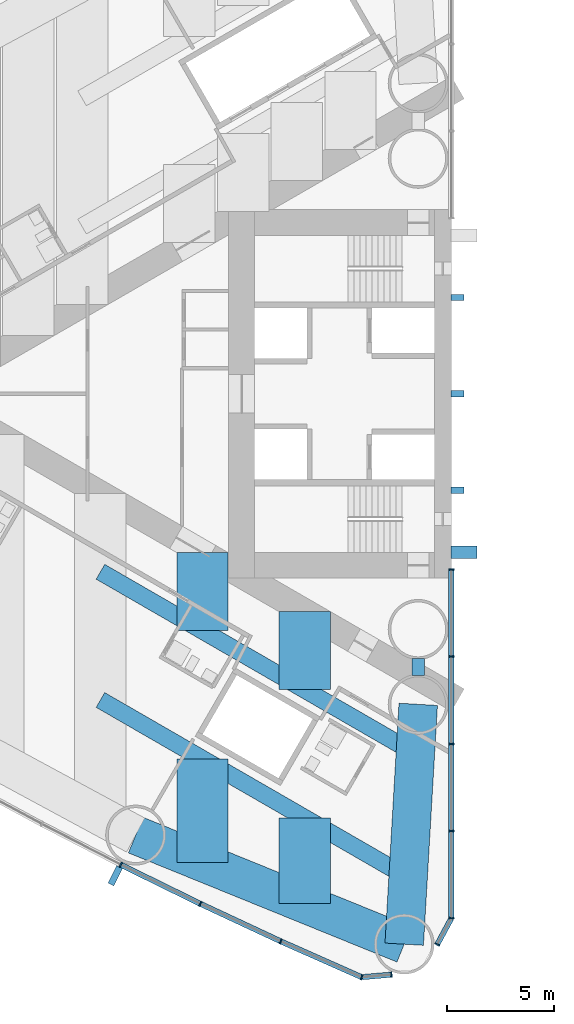
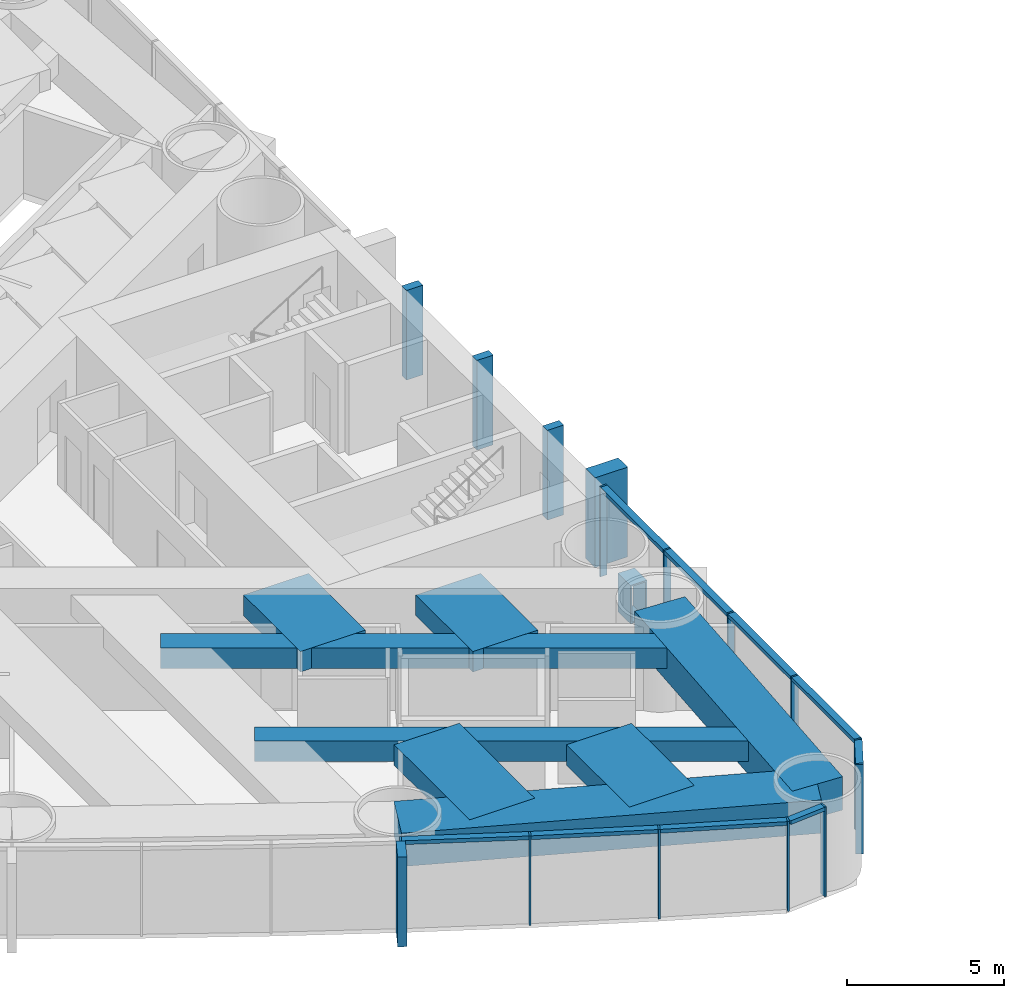
# One storey, part 3 of 19: 25 members, 9 beams, 2 elements without a shape of their own.
"""IFC4 building model written with IfcOpenShell, lengths in metres."""

from ifc_helpers import new_model, si_unit, direction, frame, origin, origin_2d, place, context, subcontext, project, spatial, rectangle, hollow_rectangle, extrude, material, material_profile, profile_set, type_object, element, aggregate, save


model = new_model("IFC4")

# Units and contexts
model_context = context("Model", 3, precision=1e-05, world=origin(), true_north=direction((0.0, 1.0)))
body_context = subcontext(model_context, "Body", "Model", "MODEL_VIEW")
ifc_project = project(units=[si_unit("LENGTHUNIT", "METRE"), si_unit("AREAUNIT", "SQUARE_METRE"), si_unit("VOLUMEUNIT", "CUBIC_METRE"), si_unit("PLANEANGLEUNIT", "RADIAN"), si_unit("MASSUNIT", "GRAM", prefix="KILO")], contexts=[model_context])

# Site, building, storey
site_placement = place(None, origin())
site = spatial("IfcSite", under=ifc_project, at=site_placement, CompositionType="ELEMENT")
building_placement = place(site_placement, origin())
building = spatial("IfcBuilding", under=site, at=building_placement, Name="Lancet Gate Hotel", CompositionType="ELEMENT")
storey_placement = place(building_placement, frame((0.0, 0.0, 25.0)))
storey = spatial("IfcBuildingStorey", under=building, at=storey_placement, Name="L05", CompositionType="ELEMENT", Elevation=25.0)

# Curtain wall, members
ifc_material_1 = material(Name="Aluminium curtain wall", Category="aluminium")
curtain_wall_type = type_object("IfcCurtainWallType", Name="Tower unitised curtain wall", PredefinedType="USERDEFINED", material=ifc_material_1)
curtain_wall_1_placement = place(storey_placement, origin())
curtain_wall_1 = element("IfcCurtainWall", 1, at=curtain_wall_1_placement, inside=storey, type_object=curtain_wall_type, Name="T1 L05 curtain wall 3", ObjectType="UNITISED CURTAIN WALL", PredefinedType="USERDEFINED")
ifc_material_2 = material(Name="Aluminium mullion", Category="aluminium")
ifc_material_profile_1 = material_profile(ifc_material_2, rectangle(XDim=0.06494140625, YDim=0.25, at=origin_2d()), Name="MULLION 65x250")
ifc_profile_set_1 = profile_set([ifc_material_profile_1], Name="Aluminium mullion")
member_type_1 = type_object("IfcMemberType", Name="Aluminium mullion 65x250", PredefinedType="MULLION", material=ifc_profile_set_1)
member_1_placement = place(storey_placement, frame((-42.94189453125, -21.991943359375, 0.0), z_axis=(0.0, 0.0, 1.0), x_axis=(0.893291549794, -0.449477704748, 0.0)))
member_1 = element("IfcMember", 2, at=member_1_placement, type_object=member_type_1, Name="T1 L05 curtain wall 3 mullion 11", PredefinedType="MULLION", context=body_context, shape_type="SweptSolid", body=[
    extrude(rectangle(XDim=0.06494140625, YDim=0.25, at=origin_2d()), origin(), (0.0, 0.0, 1.0), 3.5),
])
member_2_placement = place(storey_placement, frame((-39.225341796875, -23.816650390625, 0.0), z_axis=(0.0, 0.0, 1.0), x_axis=(0.901928838337, -0.431884672772, 0.0)))
member_2 = element("IfcMember", 3, at=member_2_placement, type_object=member_type_1, Name="T1 L05 curtain wall 3 mullion 12", PredefinedType="MULLION", context=body_context, shape_type="SweptSolid", body=[
    extrude(rectangle(XDim=0.06494140625, YDim=0.25, at=origin_2d()), origin(), (0.0, 0.0, 1.0), 3.5),
])
member_3_placement = place(storey_placement, frame((-35.473876953125, -25.568115234375, 0.0), z_axis=(0.0, 0.0, 1.0), x_axis=(0.910219680212, -0.414125746308, 0.0)))
member_3 = element("IfcMember", 4, at=member_3_placement, type_object=member_type_1, Name="T1 L05 curtain wall 3 mullion 13", PredefinedType="MULLION", context=body_context, shape_type="SweptSolid", body=[
    extrude(rectangle(XDim=0.06494140625, YDim=0.25, at=origin_2d()), origin(), (0.0, 0.0, 1.0), 3.5),
])
member_4_placement = place(storey_placement, frame((-31.688720703125, -27.24560546875, 0.0), z_axis=(0.0, 0.0, 1.0), x_axis=(0.957524354695, -0.288352406209, 0.0)))
member_4 = element("IfcMember", 5, at=member_4_placement, type_object=member_type_1, Name="T1 L05 curtain wall 3 mullion 14", PredefinedType="MULLION", context=body_context, shape_type="SweptSolid", body=[
    extrude(rectangle(XDim=0.06494140625, YDim=0.25, at=origin_2d()), origin(), (0.0, 0.0, 1.0), 3.5),
])
member_5_placement = place(storey_placement, frame((-30.3046875, -27.124755859375, 0.0), z_axis=(0.0, 0.0, 1.0), x_axis=(0.99620380374, 0.087051602022, 0.0)))
member_5 = element("IfcMember", 6, at=member_5_placement, type_object=member_type_1, Name="T1 L05 curtain wall 3 mullion 15", PredefinedType="MULLION", context=body_context, shape_type="SweptSolid", body=[
    extrude(rectangle(XDim=0.06494140625, YDim=0.25, at=origin_2d()), origin(), (0.0, 0.0, 1.0), 3.5),
])

curtain_wall_2_placement = place(storey_placement, origin())
curtain_wall_2 = element("IfcCurtainWall", 7, at=curtain_wall_2_placement, inside=storey, type_object=curtain_wall_type, Name="T1 L05 curtain wall 4", ObjectType="UNITISED CURTAIN WALL", PredefinedType="USERDEFINED")
member_6_placement = place(storey_placement, frame((-28.158935546875, -25.712890625, 0.0), z_axis=(0.0, 0.0, 1.0), x_axis=(0.474631040972, 0.880184852714, 0.0)))
member_6 = element("IfcMember", 8, at=member_6_placement, type_object=member_type_1, Name="T1 L05 curtain wall 4 mullion 1", PredefinedType="MULLION", context=body_context, shape_type="SweptSolid", body=[
    extrude(rectangle(XDim=0.06494140625, YDim=0.25, at=origin_2d()), origin(), (0.0, 0.0, 1.0), 3.5),
])
member_7_placement = place(storey_placement, frame((-27.5, -24.4912109375, 0.0), z_axis=(0.0, 0.0, 1.0), x_axis=(0.123482502544, 0.992346749662, 0.0)))
member_7 = element("IfcMember", 9, at=member_7_placement, type_object=member_type_1, Name="T1 L05 curtain wall 4 mullion 2", PredefinedType="MULLION", context=body_context, shape_type="SweptSolid", body=[
    extrude(rectangle(XDim=0.06494140625, YDim=0.25, at=origin_2d()), origin(), (0.0, 0.0, 1.0), 3.5),
])
member_8_placement = place(storey_placement, frame((-27.5, -20.41845703125, 0.0), z_axis=(0.0, 0.0, 1.0), x_axis=(0.0, 1.0, 0.0)))
member_8 = element("IfcMember", 10, at=member_8_placement, type_object=member_type_1, Name="T1 L05 curtain wall 4 mullion 3", PredefinedType="MULLION", context=body_context, shape_type="SweptSolid", body=[
    extrude(rectangle(XDim=0.06494140625, YDim=0.25, at=origin_2d()), origin(), (0.0, 0.0, 1.0), 3.5),
])
member_9_placement = place(storey_placement, frame((-27.5, -16.345703125, 0.0), z_axis=(0.0, 0.0, 1.0), x_axis=(0.0, 1.0, 0.0)))
member_9 = element("IfcMember", 11, at=member_9_placement, type_object=member_type_1, Name="T1 L05 curtain wall 4 mullion 4", PredefinedType="MULLION", context=body_context, shape_type="SweptSolid", body=[
    extrude(rectangle(XDim=0.06494140625, YDim=0.25, at=origin_2d()), origin(), (0.0, 0.0, 1.0), 3.5),
])
member_10_placement = place(storey_placement, frame((-27.5, -12.272705078125, 0.0), z_axis=(0.0, 0.0, 1.0), x_axis=(0.0, 1.0, 0.0)))
member_10 = element("IfcMember", 12, at=member_10_placement, type_object=member_type_1, Name="T1 L05 curtain wall 4 mullion 5", PredefinedType="MULLION", context=body_context, shape_type="SweptSolid", body=[
    extrude(rectangle(XDim=0.06494140625, YDim=0.25, at=origin_2d()), origin(), (0.0, 0.0, 1.0), 3.5),
])
member_11_placement = place(storey_placement, frame((-27.5, -8.199951171875, 0.0), z_axis=(0.0, 0.0, 1.0), x_axis=(0.0, 1.0, 0.0)))
member_11 = element("IfcMember", 13, at=member_11_placement, type_object=member_type_1, Name="T1 L05 curtain wall 4 mullion 6", PredefinedType="MULLION", context=body_context, shape_type="SweptSolid", body=[
    extrude(rectangle(XDim=0.06494140625, YDim=0.25, at=origin_2d()), origin(), (0.0, 0.0, 1.0), 3.5),
])

# Member
ifc_material_3 = material(Name="Aluminium transom", Category="aluminium")
ifc_material_profile_2 = material_profile(ifc_material_3, rectangle(XDim=0.25, YDim=0.14990234375, at=origin_2d()), Name="TRANSOM 250x150")
ifc_profile_set_2 = profile_set([ifc_material_profile_2], Name="Aluminium transom")
member_type_2 = type_object("IfcMemberType", Name="Aluminium transom 250x150", PredefinedType="USERDEFINED", material=ifc_profile_set_2)
member_12_placement = place(storey_placement, frame((-42.912841796875, -22.00634765625, 3.425048828125), z_axis=(0.897662439958, -0.440683723194, 0.0), x_axis=(0.440683723194, 0.897662439958, 0.0)))
member_12 = element("IfcMember", 14, at=member_12_placement, type_object=member_type_2, Name="T1 L05 curtain wall 3 transom 11", ObjectType="TRANSOM", PredefinedType="USERDEFINED", context=body_context, shape_type="SweptSolid", body=[
    extrude(rectangle(XDim=0.25, YDim=0.14990234375, at=origin_2d()), origin(), (0.0, 0.0, 1.0), 4.0751953125),
])

member_13_placement = place(storey_placement, frame((-39.196044921875, -23.830322265625, 3.425048828125), z_axis=(0.906109667261, -0.423042871228, 0.0), x_axis=(0.423042871228, 0.906109667261, 0.0)))
member_13 = element("IfcMember", 15, at=member_13_placement, type_object=member_type_2, Name="T1 L05 curtain wall 3 transom 12", ObjectType="TRANSOM", PredefinedType="USERDEFINED", context=body_context, shape_type="SweptSolid", body=[
    extrude(rectangle(XDim=0.25, YDim=0.14990234375, at=origin_2d()), origin(), (0.0, 0.0, 1.0), 4.075439453125),
])

member_14_placement = place(storey_placement, frame((-35.444091796875, -25.581298828125, 3.425048828125), z_axis=(0.914248281954, -0.405154389022, 0.0), x_axis=(0.405154389022, 0.914248281954, 0.0)))
member_14 = element("IfcMember", 16, at=member_14_placement, type_object=member_type_2, Name="T1 L05 curtain wall 3 transom 13", ObjectType="TRANSOM", PredefinedType="USERDEFINED", context=body_context, shape_type="SweptSolid", body=[
    extrude(rectangle(XDim=0.25, YDim=0.14990234375, at=origin_2d()), origin(), (0.0, 0.0, 1.0), 4.0751953125),
])

member_15_placement = place(storey_placement, frame((-31.65625, -27.242919921875, 3.425048828125), z_axis=(0.99620591587, 0.087027427779, 0.0), x_axis=(-0.087027427779, 0.99620591587, 0.0)))
member_15 = element("IfcMember", 17, at=member_15_placement, type_object=member_type_2, Name="T1 L05 curtain wall 3 transom 14", ObjectType="TRANSOM", PredefinedType="USERDEFINED", context=body_context, shape_type="SweptSolid", body=[
    extrude(rectangle(XDim=0.25, YDim=0.14990234375, at=origin_2d()), origin(), (0.0, 0.0, 1.0), 1.32421875),
])

member_16_placement = place(storey_placement, frame((-28.143310546875, -25.684326171875, 3.425048828125), z_axis=(0.474605926905, 0.880198394765, 0.0), x_axis=(-0.880198394765, 0.474605926905, 0.0)))
member_16 = element("IfcMember", 18, at=member_16_placement, type_object=member_type_2, Name="T1 L05 curtain wall 4 transom 1", ObjectType="TRANSOM", PredefinedType="USERDEFINED", context=body_context, shape_type="SweptSolid", body=[
    extrude(rectangle(XDim=0.25, YDim=0.14990234375, at=origin_2d()), origin(), (0.0, 0.0, 1.0), 1.322998046875),
])

member_17_placement = place(storey_placement, frame((-27.5, -24.458740234375, 3.425048828125), z_axis=(0.0, 1.0, 0.0), x_axis=(-1.0, 0.0, 0.0)))
member_17 = element("IfcMember", 19, at=member_17_placement, type_object=member_type_2, Name="T1 L05 curtain wall 4 transom 2", ObjectType="TRANSOM", PredefinedType="USERDEFINED", context=body_context, shape_type="SweptSolid", body=[
    extrude(rectangle(XDim=0.25, YDim=0.14990234375, at=origin_2d()), origin(), (0.0, 0.0, 1.0), 4.0078125),
])

member_18_placement = place(storey_placement, frame((-27.5, -20.385986328125, 3.425048828125), z_axis=(0.0, 1.0, 0.0), x_axis=(-1.0, 0.0, 0.0)))
member_18 = element("IfcMember", 20, at=member_18_placement, type_object=member_type_2, Name="T1 L05 curtain wall 4 transom 3", ObjectType="TRANSOM", PredefinedType="USERDEFINED", context=body_context, shape_type="SweptSolid", body=[
    extrude(rectangle(XDim=0.25, YDim=0.14990234375, at=origin_2d()), origin(), (0.0, 0.0, 1.0), 4.0078125),
])

member_19_placement = place(storey_placement, frame((-27.5, -16.31298828125, 3.425048828125), z_axis=(0.0, 1.0, 0.0), x_axis=(-1.0, 0.0, 0.0)))
member_19 = element("IfcMember", 21, at=member_19_placement, type_object=member_type_2, Name="T1 L05 curtain wall 4 transom 4", ObjectType="TRANSOM", PredefinedType="USERDEFINED", context=body_context, shape_type="SweptSolid", body=[
    extrude(rectangle(XDim=0.25, YDim=0.14990234375, at=origin_2d()), origin(), (0.0, 0.0, 1.0), 4.0078125),
])

member_20_placement = place(storey_placement, frame((-27.5, -12.240234375, 3.425048828125), z_axis=(0.0, 1.0, 0.0), x_axis=(-1.0, 0.0, 0.0)))
member_20 = element("IfcMember", 22, at=member_20_placement, type_object=member_type_2, Name="T1 L05 curtain wall 4 transom 5", ObjectType="TRANSOM", PredefinedType="USERDEFINED", context=body_context, shape_type="SweptSolid", body=[
    extrude(rectangle(XDim=0.25, YDim=0.14990234375, at=origin_2d()), origin(), (0.0, 0.0, 1.0), 4.0078125),
])

aggregate(curtain_wall_2, [member_6, member_7, member_8, member_9, member_10, member_11, member_16, member_17, member_18, member_19, member_20])

# Beams
ifc_material_4 = material(Name="Concrete C50/60", Category="concrete")
ifc_material_profile_3 = material_profile(ifc_material_4, rectangle(XDim=1.800048828125, YDim=1.300048828125, at=origin_2d()), Name="RC 1800x1300")
ifc_profile_set_3 = profile_set([ifc_material_profile_3], Name="Concrete C50/60")
beam_type_1 = type_object("IfcBeamType", Name="Edge beam RC 1800x1300", PredefinedType="SPANDREL", material=ifc_profile_set_3)
beam_1_placement = place(storey_placement, frame((-42.2451171875, -20.607421875, 2.60009765625), z_axis=(0.926463236197, -0.376385270667, 0.0), x_axis=(0.376385270667, 0.926463236197, 0.0)))
element("IfcBeam", 23, at=beam_1_placement, inside=storey, type_object=beam_type_1, Name="T1 edge beam EB1 L05", PredefinedType="SPANDREL", context=body_context, shape_type="SweptSolid", body=[
    extrude(rectangle(XDim=1.800048828125, YDim=1.300048828125, at=origin_2d()), origin(), (0.0, 0.0, 1.0), 13.537353515625),
])
beam_2_placement = place(storey_placement, frame((-29.050048828125, -14.5, 2.60009765625), z_axis=(-0.058219521912, -0.998303805096, 0.0), x_axis=(0.998303805096, -0.058219521912, 0.0)))
element("IfcBeam", 24, at=beam_2_placement, inside=storey, type_object=beam_type_1, Name="T1 edge beam EB1 L05", PredefinedType="SPANDREL", context=body_context, shape_type="SweptSolid", body=[
    extrude(rectangle(XDim=1.800048828125, YDim=1.300048828125, at=origin_2d()), origin(), (0.0, 0.0, 1.0), 11.2216796875),
])

# Member
ifc_material_5 = material(Name="Concrete C60/75", Category="concrete")
ifc_material_profile_4 = material_profile(ifc_material_5, rectangle(XDim=0.60009765625, YDim=1.199951171875, at=origin_2d()), Name="FIN 600x1200")
ifc_profile_set_4 = profile_set([ifc_material_profile_4], Name="Concrete C60/75")
member_type_3 = type_object("IfcMemberType", Name="Exposed concrete buttress pilaster 600x1200", PredefinedType="USERDEFINED", material=ifc_profile_set_4)
member_21_placement = place(storey_placement, frame((-26.909912109375, -7.39990234375, 0.0), z_axis=(0.0, 0.0, 1.0), x_axis=(0.0, 1.0, 0.0)))
element("IfcMember", 25, at=member_21_placement, inside=storey, type_object=member_type_3, Name="T1 buttress pilaster N L05", ObjectType="FIN", PredefinedType="USERDEFINED", context=body_context, shape_type="SweptSolid", body=[
    extrude(rectangle(XDim=0.60009765625, YDim=1.199951171875, at=origin_2d()), origin(), (0.0, 0.0, 1.0), 3.5),
])

ifc_material_6 = material(Name="Precast concrete C50/60", Category="concrete")
ifc_material_profile_5 = material_profile(ifc_material_6, rectangle(XDim=0.300048828125, YDim=0.89990234375, at=origin_2d()), Name="FIN 300x900")
ifc_profile_set_5 = profile_set([ifc_material_profile_5], Name="Precast concrete C50/60")
member_type_4 = type_object("IfcMemberType", Name="Exposed concrete fin 300x900", PredefinedType="USERDEFINED", material=ifc_profile_set_5)
member_22_placement = place(storey_placement, frame((-43.200439453125, -22.505615234375, 0.0), z_axis=(0.0, 0.0, 1.0), x_axis=(0.893291549794, -0.449477704748, 0.0)))
member_22 = element("IfcMember", 26, at=member_22_placement, type_object=member_type_4, Name="T1 L05 curtain wall 3 fin 11", ObjectType="FIN", PredefinedType="USERDEFINED", context=body_context, shape_type="SweptSolid", body=[
    extrude(rectangle(XDim=0.300048828125, YDim=0.89990234375, at=origin_2d()), origin(), (0.0, 0.0, 1.0), 3.5),
])

aggregate(curtain_wall_1, [member_1, member_22, member_2, member_3, member_4, member_5, member_12, member_13, member_14, member_15])

# Members
ifc_material_7 = material(Name="Concrete C60/75", Category="concrete")
ifc_material_profile_6 = material_profile(ifc_material_7, rectangle(XDim=0.300048828125, YDim=0.60009765625, at=origin_2d()), Name="FIN 300x600")
ifc_profile_set_6 = profile_set([ifc_material_profile_6], Name="Concrete C60/75")
member_type_5 = type_object("IfcMemberType", Name="Exposed concrete rib 300x600", PredefinedType="USERDEFINED", material=ifc_profile_set_6)
for number, where, z_axis, x_axis, name in (
    (27, (-27.2099609375, 4.5, 0.0), (0.0, 0.0, 1.0), (0.0, 1.0, 0.0), "T1 core rib 1 L05"),
    (28, (-27.2099609375, 0.0, 0.0), (0.0, 0.0, 1.0), (0.0, 1.0, 0.0), "T1 core rib 2 L05"),
    (29, (-27.2099609375, -4.5, 0.0), (0.0, 0.0, 1.0), (0.0, 1.0, 0.0), "T1 core rib 3 L05"),
):
    element("IfcMember", number, at=place(storey_placement, frame(where, z_axis=z_axis, x_axis=x_axis)), inside=storey, type_object=member_type_5, Name=name, ObjectType="FIN", PredefinedType="USERDEFINED", context=body_context, shape_type="SweptSolid", body=[
        extrude(rectangle(XDim=0.300048828125, YDim=0.60009765625, at=origin_2d()), origin(), (0.0, 0.0, 1.0), 3.5),
    ])

# Beams
ifc_material_8 = material(Name="Concrete C50/60", Category="concrete")
ifc_material_profile_7 = material_profile(ifc_material_8, rectangle(XDim=2.39990234375, YDim=0.800048828125, at=origin_2d()), Name="RC 2400x800")
ifc_profile_set_7 = profile_set([ifc_material_profile_7], Name="Concrete C50/60")
beam_type_2 = type_object("IfcBeamType", Name="Floor beam RC 2400x800", PredefinedType="BEAM", material=ifc_profile_set_7)
beam_3_placement = place(storey_placement, frame((-34.353515625, -10.169921875, 2.85009765625), z_axis=(0.0, -1.0, 0.0), x_axis=(1.0, 0.0, 0.0)))
element("IfcBeam", 30, at=beam_3_placement, inside=storey, type_object=beam_type_2, Name="T1 floor beam F03NA L05", PredefinedType="BEAM", context=body_context, shape_type="SweptSolid", body=[
    extrude(rectangle(XDim=2.39990234375, YDim=0.800048828125, at=origin_2d()), origin(), (0.0, 0.0, 1.0), 3.645751953125),
])
beam_4_placement = place(storey_placement, frame((-34.353515625, -19.802978515625, 2.85009765625), z_axis=(0.0, -1.0, 0.0), x_axis=(1.0, 0.0, 0.0)))
element("IfcBeam", 31, at=beam_4_placement, inside=storey, type_object=beam_type_2, Name="T1 floor beam F03NB L05", PredefinedType="BEAM", context=body_context, shape_type="SweptSolid", body=[
    extrude(rectangle(XDim=2.39990234375, YDim=0.800048828125, at=origin_2d()), origin(), (0.0, 0.0, 1.0), 4.010498046875),
])
beam_5_placement = place(storey_placement, frame((-39.122314453125, -7.41650390625, 2.85009765625), z_axis=(0.0, -1.0, 0.0), x_axis=(1.0, 0.0, 0.0)))
element("IfcBeam", 32, at=beam_5_placement, inside=storey, type_object=beam_type_2, Name="T1 floor beam F06NA L05", PredefinedType="BEAM", context=body_context, shape_type="SweptSolid", body=[
    extrude(rectangle(XDim=2.39990234375, YDim=0.800048828125, at=origin_2d()), origin(), (0.0, 0.0, 1.0), 3.64599609375),
])
beam_6_placement = place(storey_placement, frame((-39.122314453125, -17.0498046875, 2.85009765625), z_axis=(0.0, -1.0, 0.0), x_axis=(1.0, 0.0, 0.0)))
element("IfcBeam", 33, at=beam_6_placement, inside=storey, type_object=beam_type_2, Name="T1 floor beam F06NB L05", PredefinedType="BEAM", context=body_context, shape_type="SweptSolid", body=[
    extrude(rectangle(XDim=2.39990234375, YDim=0.800048828125, at=origin_2d()), origin(), (0.0, 0.0, 1.0), 4.826416015625),
])
ifc_material_9 = material(Name="Steel S460QL", Category="steel")
ifc_material_profile_8 = material_profile(ifc_material_9, hollow_rectangle(XDim=0.60009765625, YDim=1.5, WallThickness=0.050048828125, at=origin_2d()), Name="BOX 1500x600x50")
ifc_profile_set_8 = profile_set([ifc_material_profile_8], Name="Steel S460QL")
beam_type_3 = type_object("IfcBeamType", Name="Inner-face link beam BOX 1500x600x50", PredefinedType="BEAM", material=ifc_profile_set_8)
beam_7_placement = place(storey_placement, frame((-29.050048828125, -12.35009765625, 2.5), z_axis=(0.0, -1.0, 0.0), x_axis=(1.0, 0.0, 0.0)))
element("IfcBeam", 34, at=beam_7_placement, inside=storey, type_object=beam_type_3, Name="T1 inner-face link beam LK1 L05", PredefinedType="BEAM", context=body_context, shape_type="SweptSolid", body=[
    extrude(hollow_rectangle(XDim=0.60009765625, YDim=1.5, WallThickness=0.050048828125, at=origin_2d()), origin(), (0.0, 0.0, 1.0), 0.7998046875),
])
ifc_material_10 = material(Name="Steel S460QL", Category="steel")
ifc_material_profile_9 = material_profile(ifc_material_10, hollow_rectangle(XDim=0.800048828125, YDim=0.800048828125, WallThickness=0.080078125, at=origin_2d()), Name="BOX 800x800x80")
ifc_profile_set_9 = profile_set([ifc_material_profile_9], Name="Steel S460QL")
beam_type_4 = type_object("IfcBeamType", Name="Trimmer beam BOX 800x800x80", PredefinedType="BEAM", material=ifc_profile_set_9)
for number, where, z_axis, x_axis, name in (
    (35, (-29.58447265625, -22.55615234375, 2.85009765625), (-0.866040141834, 0.49997447208, 0.0), (-0.49997447208, -0.866040141834, 0.0), "T1 trimmer beam TR03N L05"),
    (36, (-29.58447265625, -16.56884765625, 2.85009765625), (-0.866040141834, 0.49997447208, 0.0), (-0.49997447208, -0.866040141834, 0.0), "T1 trimmer beam TR04N L05"),
):
    element("IfcBeam", number, at=place(storey_placement, frame(where, z_axis=z_axis, x_axis=x_axis)), inside=storey, type_object=beam_type_4, Name=name, PredefinedType="BEAM", context=body_context, shape_type="SweptSolid", body=[
        extrude(hollow_rectangle(XDim=0.800048828125, YDim=0.800048828125, WallThickness=0.080078125, at=origin_2d()), origin(), (0.0, 0.0, 1.0), 16.519775390625),
    ])

save(model, "model.ifc")
